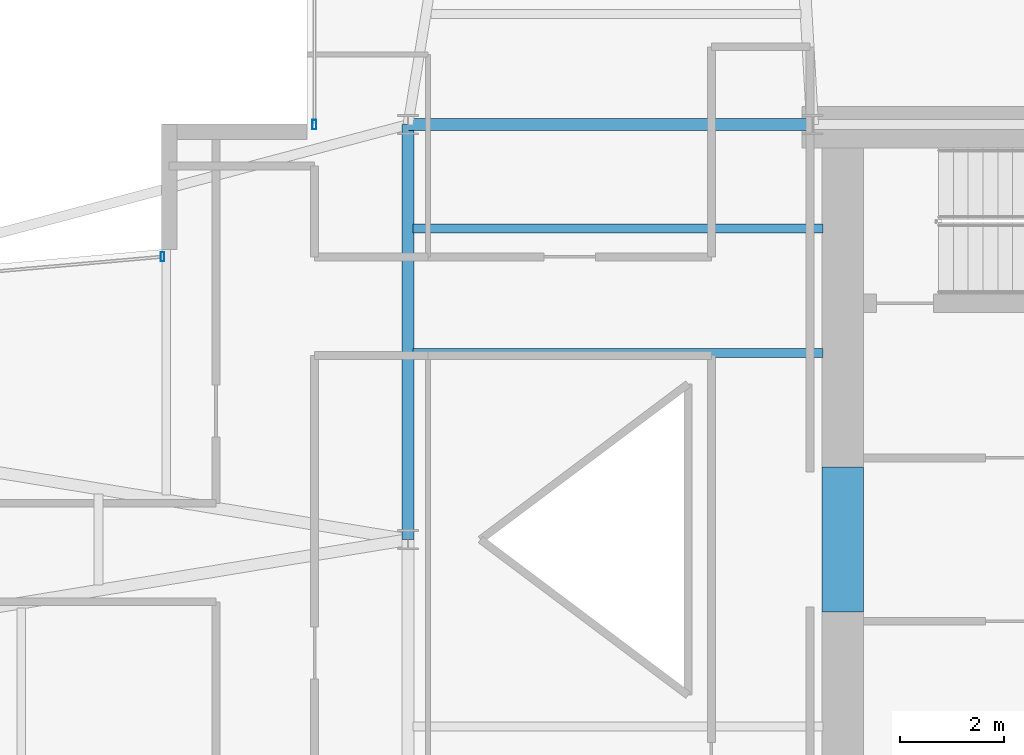
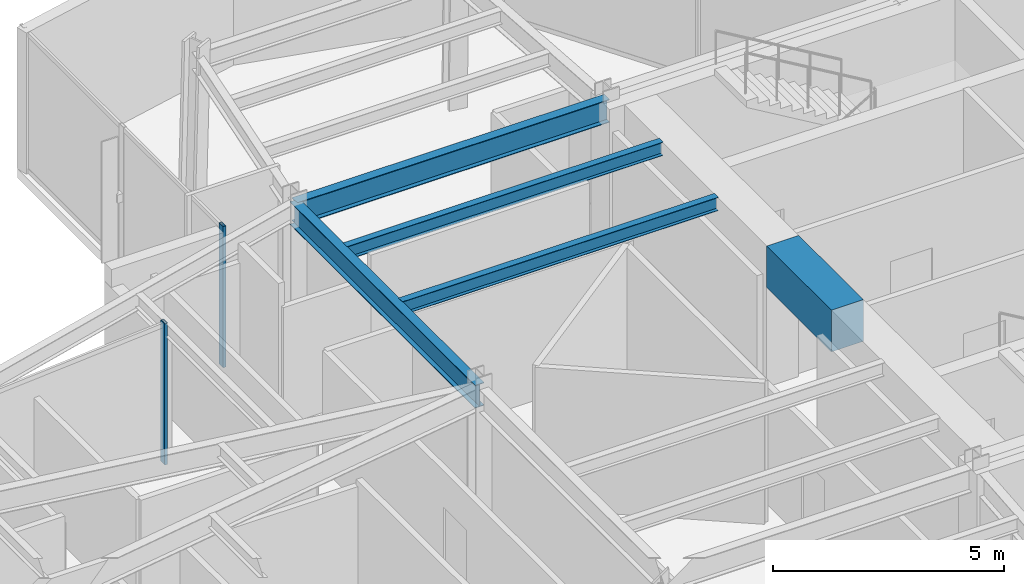
# One storey, part 11 of 23: 5 beams, 2 members, 2 elements without a shape of their own.
"""IFC4 building model written with IfcOpenShell, lengths in metres."""

import ifcopenshell
import ifcopenshell.guid

model = None  # the IFC model being written
_history = None  # IfcOwnerHistory: only IFC2X3 demands one
_inside = {}  # id of a spatial element -> (the spatial element, [elements in it])
_under = {}  # id of a project, library or spatial element -> (it, [spatial elements below it])
_declared = {}  # id of a project -> (the project, [libraries it declares])
_typed = {}  # id of a type object -> (the type object, [elements of that type])
_made_of = {}  # id of a material, layer set ... -> (it, [elements and type objects made of it])


def new_model(schema):
    """Start an empty IFC model of exactly this schema.

    Asked for "IFC4X3", IfcOpenShell would pick the latest addendum, in which some entities
    have other attributes; the version numbers below select the first issue.
    IFC2X3 requires an IfcOwnerHistory on every rooted entity: one is made here for all.
    """
    global model, _history
    if schema == "IFC4X3":
        model = ifcopenshell.file(schema_version=(4, 3, 0, 0))
    else:
        model = ifcopenshell.file(schema=schema)
    _inside.clear()
    _under.clear()
    _declared.clear()
    _typed.clear()
    _made_of.clear()
    _history = None
    if model.schema == "IFC2X3":
        org = make("IfcOrganization", Name="unknown")
        user = make(
            "IfcPersonAndOrganization",
            ThePerson=make("IfcPerson", FamilyName="unknown"),
            TheOrganization=org,
        )
        app = make(
            "IfcApplication",
            ApplicationDeveloper=org,
            Version="unknown",
            ApplicationFullName="unknown",
            ApplicationIdentifier="unknown",
        )
        _history = make(
            "IfcOwnerHistory",
            OwningUser=user,
            OwningApplication=app,
            ChangeAction="ADDED",
            CreationDate=0,
        )
    return model


def make(cls, **values):
    """One entity of the class cls with the attributes given. An attribute that is None is left unset."""
    return model.create_entity(
        cls, **{name: value for name, value in values.items() if value is not None}
    )


def rooted(cls, **values):
    """An entity with a GlobalId (a new one), such as an element, a storey or a relation."""
    return make(cls, GlobalId=ifcopenshell.guid.new(), OwnerHistory=_history, **values)


def si_unit(unit_type, name, prefix=None):
    """IfcSIUnit, for example si_unit("LENGTHUNIT", "METRE", prefix="MILLI")."""
    return make("IfcSIUnit", UnitType=unit_type, Prefix=prefix, Name=name)


def assignment(units):
    """IfcUnitAssignment: the units of a project."""
    return None if units is None else make("IfcUnitAssignment", Units=units)


def point(xyz):
    """IfcCartesianPoint."""
    return None if xyz is None else make("IfcCartesianPoint", Coordinates=xyz)


def direction(xyz):
    """IfcDirection."""
    return None if xyz is None else make("IfcDirection", DirectionRatios=xyz)


def frame(location, z_axis=None, x_axis=None):
    """IfcAxis2Placement3D, a coordinate frame: its origin and axes. An axis left out is left unset."""
    return make(
        "IfcAxis2Placement3D",
        Location=point(location),
        Axis=direction(z_axis),
        RefDirection=direction(x_axis),
    )


def frame_2d(location, x_axis=None):
    """IfcAxis2Placement2D, a coordinate frame in the plane: its origin and x axis."""
    return make(
        "IfcAxis2Placement2D", Location=point(location), RefDirection=direction(x_axis)
    )


def origin():
    """The frame at (0, 0, 0) with its axes left unset."""
    return frame((0.0, 0.0, 0.0))


def origin_2d():
    """The frame at (0, 0) in the plane with its x axis left unset."""
    return frame_2d((0.0, 0.0))


def place(relative_to, where):
    """IfcLocalPlacement: puts the frame where relative to a parent placement (None: the world)."""
    return make(
        "IfcLocalPlacement", PlacementRelTo=relative_to, RelativePlacement=where
    )


def context(
    kind, dimensions, precision=None, world=None, true_north=None, identifier=None
):
    """IfcGeometricRepresentationContext, for example the 3D "Model" context."""
    return make(
        "IfcGeometricRepresentationContext",
        ContextIdentifier=identifier,
        ContextType=kind,
        CoordinateSpaceDimension=dimensions,
        Precision=precision,
        WorldCoordinateSystem=world,
        TrueNorth=true_north,
    )


def subcontext(parent, identifier, kind, view, scale=None):
    """IfcGeometricRepresentationSubContext, for example "Body" below "Model"."""
    return make(
        "IfcGeometricRepresentationSubContext",
        ContextIdentifier=identifier,
        ContextType=kind,
        ParentContext=parent,
        TargetScale=scale,
        TargetView=view,
    )


def project(units=None, contexts=None):
    """IfcProject with its units and contexts."""
    return rooted(
        "IfcProject",
        Name="project",
        RepresentationContexts=contexts,
        UnitsInContext=assignment(units),
    )


def spatial(cls, under=None, at=None, **own):
    """A site, building, storey or space (cls), placed at a placement, below another one or the project."""
    s = rooted(cls, ObjectPlacement=at, **own)
    if under is not None:
        _under.setdefault(under.id(), (under, []))[1].append(s)
    return s


def profile(cls, at=None, kind="AREA", **sizes):
    """A parametric profile (cls). Its sizes go by their IFC names, for example OverallWidth=200.0."""
    return make(cls, ProfileType=kind, Position=at, **sizes)


def rectangle(**sizes):
    """IfcRectangleProfileDef."""
    return profile("IfcRectangleProfileDef", **sizes)


def hollow_rectangle(**sizes):
    """IfcRectangleHollowProfileDef."""
    return profile("IfcRectangleHollowProfileDef", **sizes)


def i_section(**sizes):
    """IfcIShapeProfileDef."""
    return profile("IfcIShapeProfileDef", **sizes)


def extrude(swept, where, along, depth):
    """IfcExtrudedAreaSolid: the profile swept, set in the frame where, extruded along a direction by depth."""
    return make(
        "IfcExtrudedAreaSolid",
        SweptArea=swept,
        Position=where,
        ExtrudedDirection=direction(along),
        Depth=depth,
    )


def shape(context_of_items, identifier, shape_type, items):
    """IfcShapeRepresentation: the items that make up one representation, for example the "Body"."""
    return make(
        "IfcShapeRepresentation",
        ContextOfItems=context_of_items,
        RepresentationIdentifier=identifier,
        RepresentationType=shape_type,
        Items=items,
    )


def material(Name=None, Category=None):
    """IfcMaterial."""
    return make("IfcMaterial", Name=Name, Category=Category)


def layer(
    of_material, thickness, ventilated=None, Name=None, Category=None, Priority=None
):
    """IfcMaterialLayer: one layer of a wall or slab, of a material (None: an air gap)."""
    return make(
        "IfcMaterialLayer",
        Material=of_material,
        LayerThickness=thickness,
        IsVentilated=ventilated,
        Name=Name,
        Category=Category,
        Priority=Priority,
    )


def layer_set(layers, Name=None):
    """IfcMaterialLayerSet."""
    return make("IfcMaterialLayerSet", MaterialLayers=layers, LayerSetName=Name)


def material_profile(
    of_material, cross_section, Name=None, Category=None, Priority=None
):
    """IfcMaterialProfile: a cross section and its material."""
    return make(
        "IfcMaterialProfile",
        Name=Name,
        Material=of_material,
        Profile=cross_section,
        Priority=Priority,
        Category=Category,
    )


def profile_set(profiles, Name=None, composite=None):
    """IfcMaterialProfileSet."""
    return make(
        "IfcMaterialProfileSet",
        Name=Name,
        MaterialProfiles=profiles,
        CompositeProfile=composite,
    )


def made_of(thing, what):
    """Note that an element or type object is made of a material, layer set ...; save() writes the relation."""
    if what is not None:
        _made_of.setdefault(what.id(), (what, []))[1].append(thing)
    return thing


def type_object(cls, material=None, **own):
    """A type object (cls), such as IfcWallType, which elements share."""
    return made_of(rooted(cls, **own), material)


def element(
    cls,
    number,
    at=None,
    inside=None,
    cuts=None,
    type_object=None,
    material=None,
    context=None,
    identifier="Body",
    shape_type=None,
    held_by="IfcProductDefinitionShape",
    body=None,
    shapes=None,
    **own,
):
    """One element of the class cls, such as IfcWall. Its Tag is "e" and its number.

    at: its placement. inside: the storey or other place that contains it. cuts: it is an
    opening in that element (IfcRelVoidsElement). A single representation is given by context,
    identifier, shape_type and body (its items); several are given by shapes. held_by: the class
    of the entity that holds the representations. save() writes the other relations.
    """
    e = rooted(cls, Tag="e%d" % number, ObjectPlacement=at, **own)
    if body is not None:
        shapes = [shape(context, identifier, shape_type, body)]
    if shapes is not None:
        e.Representation = make(held_by, Representations=shapes)
    if inside is not None:
        _inside.setdefault(inside.id(), (inside, []))[1].append(e)
    if cuts is not None:
        rooted(
            "IfcRelVoidsElement", RelatingBuildingElement=cuts, RelatedOpeningElement=e
        )
    if type_object is not None:
        _typed.setdefault(type_object.id(), (type_object, []))[1].append(e)
    return made_of(e, material)


def aggregate(whole, parts):
    """IfcRelAggregates: a whole, such as a stair, and the parts it consists of."""
    return rooted("IfcRelAggregates", RelatingObject=whole, RelatedObjects=parts)


def save(model, path):
    """Write the relations noted so far, then the file.

    IfcRelAggregates (storeys below a building ...), IfcRelContainedInSpatialStructure (elements
    in a storey), IfcRelDefinesByType, IfcRelAssociatesMaterial and IfcRelDeclares: one each for
    every whole, place, type object, material and project.
    """
    for whole, parts in _under.values():
        aggregate(whole, parts)
    for where, things in _inside.values():
        rooted(
            "IfcRelContainedInSpatialStructure",
            RelatedElements=things,
            RelatingStructure=where,
        )
    for kind, things in _typed.values():
        rooted("IfcRelDefinesByType", RelatedObjects=things, RelatingType=kind)
    for what, things in _made_of.values():
        rooted("IfcRelAssociatesMaterial", RelatedObjects=things, RelatingMaterial=what)
    for by, libraries in _declared.values():
        rooted("IfcRelDeclares", RelatingContext=by, RelatedDefinitions=libraries)
    model.write(path)


model = new_model("IFC4")

# Units and contexts
model_context = context("Model", 3, precision=1e-05, world=origin(), true_north=direction((0.0, 1.0)))
body_context = subcontext(model_context, "Body", "Model", "MODEL_VIEW")
ifc_project = project(units=[si_unit("LENGTHUNIT", "METRE"), si_unit("AREAUNIT", "SQUARE_METRE"), si_unit("VOLUMEUNIT", "CUBIC_METRE"), si_unit("PLANEANGLEUNIT", "RADIAN"), si_unit("MASSUNIT", "GRAM", prefix="KILO")], contexts=[model_context])

# Site, building, storey
site_placement = place(None, origin())
site = spatial("IfcSite", under=ifc_project, at=site_placement, CompositionType="ELEMENT")
building_placement = place(site_placement, origin())
building = spatial("IfcBuilding", under=site, at=building_placement, Name="Veymaron Broadcast Tower", CompositionType="ELEMENT")
storey_placement = place(building_placement, frame((0.0, 0.0, 177.60009765625)))
storey = spatial("IfcBuildingStorey", under=building, at=storey_placement, Name="L41", CompositionType="ELEMENT", Elevation=177.60009765625)

# Beams
ifc_material_1 = material(Name="Concrete C70/85", Category="concrete")
ifc_material_profile_1 = material_profile(ifc_material_1, rectangle(XDim=0.800048828125, YDim=1.10009765625, at=origin_2d()), Name="RC800X1100")
ifc_profile_set_1 = profile_set([ifc_material_profile_1], Name="Concrete C70/85")
beam_type_1 = type_object("IfcBeamType", Name="BM-CB1", PredefinedType="LINTEL", material=ifc_profile_set_1)
beam_1_placement = place(storey_placement, frame((39.580078125, 22.60009765625, 3.179931640625), z_axis=(0.0, 1.0, 0.0), x_axis=(-1.0, 0.0, 0.0)))
element("IfcBeam", 1, at=beam_1_placement, inside=storey, type_object=beam_type_1, Name="L41 Core Wall west coupling beam", PredefinedType="LINTEL", context=body_context, shape_type="SweptSolid", body=[
    extrude(rectangle(XDim=0.800048828125, YDim=1.10009765625, at=origin_2d()), origin(), (0.0, 0.0, 1.0), 2.7998046875),
])
ifc_material_2 = material(Name="Structural steel ASTM A992 Gr 50", Category="steel")
ifc_material_profile_2 = material_profile(ifc_material_2, i_section(OverallWidth=0.22802734375, OverallDepth=0.60791015625, WebThickness=0.01123046875, FlangeThickness=0.017333984375, at=origin_2d()), Name="W610X113")
ifc_profile_set_2 = profile_set([ifc_material_profile_2], Name="Structural steel ASTM A992 Gr 50")
beam_type_2 = type_object("IfcBeamType", Name="BM-FG2", PredefinedType="BEAM", material=ifc_profile_set_2)
beam_2_placement = place(storey_placement, frame((31.199951171875, 24.0, 3.42578125), z_axis=(0.0, 1.0, 0.0), x_axis=(-1.0, 0.0, 0.0)))
element("IfcBeam", 2, at=beam_2_placement, inside=storey, type_object=beam_type_2, Name="L41 primary structural floor girder", PredefinedType="BEAM", context=body_context, shape_type="SweptSolid", body=[
    extrude(i_section(OverallWidth=0.22802734375, OverallDepth=0.60791015625, WebThickness=0.01123046875, FlangeThickness=0.017333984375, at=origin_2d()), origin(), (0.0, 0.0, 1.0), 8.0),
])
beam_3_placement = place(storey_placement, frame((31.199951171875, 32.0, 3.42578125), z_axis=(1.0, 0.0, 0.0), x_axis=(0.0, 1.0, 0.0)))
element("IfcBeam", 3, at=beam_3_placement, inside=storey, type_object=beam_type_2, Name="L41 primary structural floor girder", PredefinedType="BEAM", context=body_context, shape_type="SweptSolid", body=[
    extrude(i_section(OverallWidth=0.22802734375, OverallDepth=0.60791015625, WebThickness=0.01123046875, FlangeThickness=0.017333984375, at=origin_2d()), origin(), (0.0, 0.0, 1.0), 7.800048828125),
])
ifc_material_profile_3 = material_profile(ifc_material_2, i_section(OverallWidth=0.1708984375, OverallDepth=0.35498046875, WebThickness=0.007080078125, FlangeThickness=0.01171875, at=origin_2d()), Name="W360X51")
ifc_profile_set_3 = profile_set([ifc_material_profile_3], Name="Structural steel ASTM A992 Gr 50")
beam_type_3 = type_object("IfcBeamType", Name="BM-JS2", PredefinedType="JOIST", material=ifc_profile_set_3)
for number, where, z_axis, x_axis, name in (
    (4, (31.300048828125, 27.60009765625, 3.552490234375), (1.0, 0.0, 0.0), (0.0, 1.0, 0.0), "L41 Hub secondary joist 3"),
    (5, (31.300048828125, 30.0, 3.552490234375), (1.0, 0.0, 0.0), (0.0, 1.0, 0.0), "L41 Hub secondary joist 4"),
):
    element("IfcBeam", number, at=place(storey_placement, frame(where, z_axis=z_axis, x_axis=x_axis)), inside=storey, type_object=beam_type_3, Name=name, PredefinedType="JOIST", context=body_context, shape_type="SweptSolid", body=[
        extrude(i_section(OverallWidth=0.1708984375, OverallDepth=0.35498046875, WebThickness=0.007080078125, FlangeThickness=0.01171875, at=origin_2d()), origin(), (0.0, 0.0, 1.0), 7.89990234375),
    ])

# Curtain wall, member
ifc_material_3 = material(Name="Anodised aluminium AA 6063-T6 and laminated low-E dark glass", Category="aluminium")
ifc_layer = layer(ifc_material_3, 0.179931640625)
ifc_layer_set = layer_set([ifc_layer], Name="Anodised aluminium AA 6063-T6 and laminated low-E dark glass")
curtain_wall_type = type_object("IfcCurtainWallType", Name="CW-SYS-03", PredefinedType="NOTDEFINED", material=ifc_layer_set)
curtain_wall_1_placement = place(storey_placement, origin())
curtain_wall_1 = element("IfcCurtainWall", 6, at=curtain_wall_1_placement, inside=storey, type_object=curtain_wall_type, Name="L41 dark-glass curtain wall CW-L41-E8-1", PredefinedType="NOTDEFINED")
ifc_material_4 = material(Name="Anodised aluminium AA 6063-T6", Category="aluminium")
ifc_material_profile_4 = material_profile(ifc_material_4, hollow_rectangle(XDim=0.074951171875, YDim=0.179931640625, WallThickness=0.0048828125, at=origin_2d()), Name="AL180X75X5")
ifc_profile_set_4 = profile_set([ifc_material_profile_4], Name="Anodised aluminium AA 6063-T6")
member_type = type_object("IfcMemberType", Name="CW-MUL-02", PredefinedType="MULLION", material=ifc_profile_set_4)
member_1_placement = place(storey_placement, frame((29.396484375, 32.0, 0.0), z_axis=(0.0, 0.0, 1.0), x_axis=(1.0, 0.0, 0.0)))
member_1 = element("IfcMember", 7, at=member_1_placement, type_object=member_type, Name="CW-L41-E8-1 mullion 2", PredefinedType="MULLION", context=body_context, shape_type="SweptSolid", body=[
    extrude(hollow_rectangle(XDim=0.074951171875, YDim=0.179931640625, WallThickness=0.0048828125, at=origin_2d()), origin(), (0.0, 0.0, 1.0), 3.72998046875),
])
aggregate(curtain_wall_1, [member_1])

curtain_wall_2_placement = place(storey_placement, origin())
curtain_wall_2 = element("IfcCurtainWall", 8, at=curtain_wall_2_placement, inside=storey, type_object=curtain_wall_type, Name="L41 dark-glass curtain wall CW-L41-E11-1", PredefinedType="NOTDEFINED")
member_2_placement = place(storey_placement, frame((26.46826171875, 29.45361328125, 0.0), z_axis=(0.0, 0.0, 1.0), x_axis=(1.0, 0.0, 0.0)))
member_2 = element("IfcMember", 9, at=member_2_placement, type_object=member_type, Name="CW-L41-E11-1 mullion 0", PredefinedType="MULLION", context=body_context, shape_type="SweptSolid", body=[
    extrude(hollow_rectangle(XDim=0.074951171875, YDim=0.179931640625, WallThickness=0.0048828125, at=origin_2d()), origin(), (0.0, 0.0, 1.0), 3.72998046875),
])
aggregate(curtain_wall_2, [member_2])

save(model, "model.ifc")
